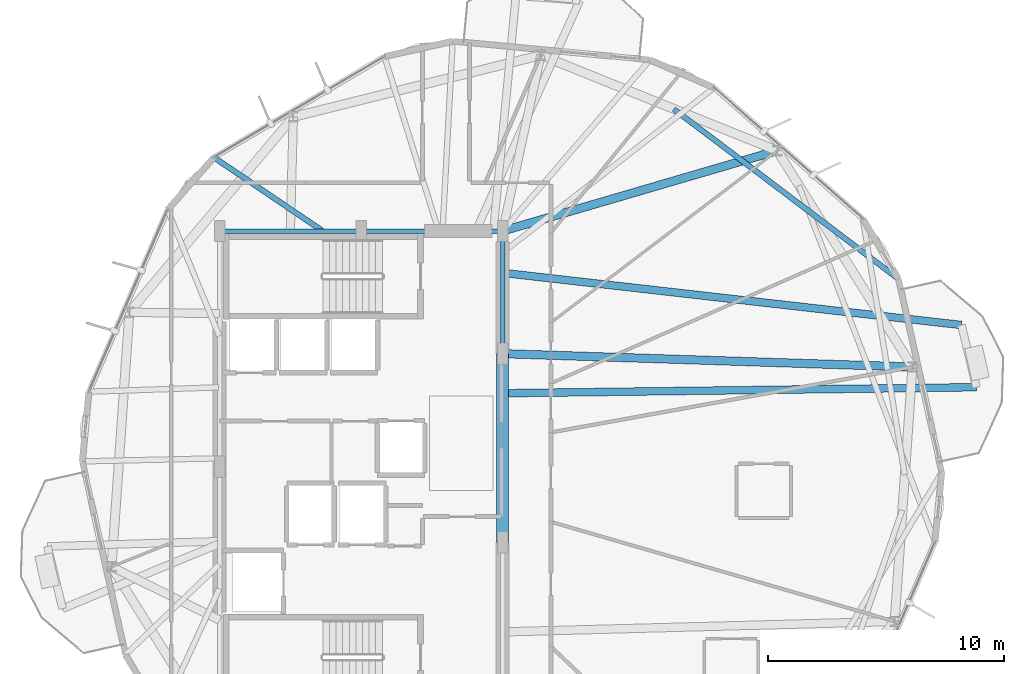
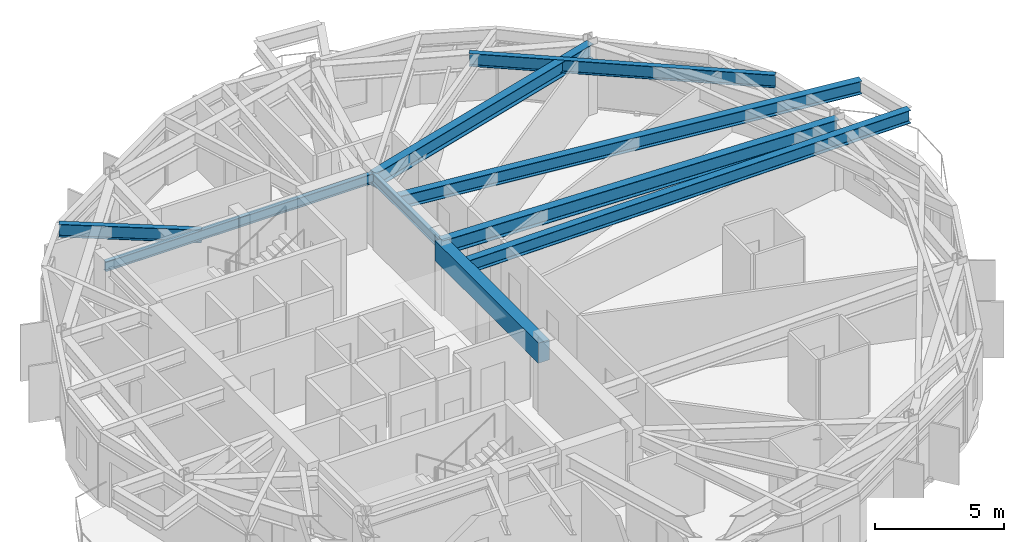
# One storey, part 7 of 21: 10 beams.
"""IFC4 building model written with IfcOpenShell, lengths in metres."""

from ifc_helpers import new_model, si_unit, direction, frame, origin, origin_2d, place, context, subcontext, project, spatial, rectangle, i_section, extrude, material, material_profile, profile_set, type_object, element, save


model = new_model("IFC4")

# Units and contexts
model_context = context("Model", 3, precision=1e-05, world=origin(), true_north=direction((0.0, 1.0)))
body_context = subcontext(model_context, "Body", "Model", "MODEL_VIEW")
ifc_project = project(units=[si_unit("LENGTHUNIT", "METRE"), si_unit("AREAUNIT", "SQUARE_METRE"), si_unit("VOLUMEUNIT", "CUBIC_METRE"), si_unit("PLANEANGLEUNIT", "RADIAN"), si_unit("MASSUNIT", "GRAM", prefix="KILO")], contexts=[model_context])

# Site, building, storey
site_placement = place(None, origin())
site = spatial("IfcSite", under=ifc_project, at=site_placement, CompositionType="ELEMENT")
building_placement = place(site_placement, origin())
building = spatial("IfcBuilding", under=site, at=building_placement, Name="Soratama Intermodal Tower", CompositionType="ELEMENT")
storey_placement = place(building_placement, frame((0.0, 0.0, 146.199951171875)))
storey = spatial("IfcBuildingStorey", under=building, at=storey_placement, Name="L35", CompositionType="ELEMENT", Elevation=146.199951171875)

# Beams
ifc_material_1 = material(Name="Structural steel ASTM A992 Grade 50", Category="steel")
ifc_material_profile_1 = material_profile(ifc_material_1, i_section(OverallWidth=0.324951171875, OverallDepth=0.615966796875, WebThickness=0.013916015625, FlangeThickness=0.021484375, FilletRadius=0.013916015625, at=origin_2d()), Name="W24X117")
ifc_profile_set_1 = profile_set([ifc_material_profile_1], Name="Structural steel ASTM A992 Grade 50")
beam_type_1 = type_object("IfcBeamType", Name="BM-CANT-W24X117", PredefinedType="BEAM", material=ifc_profile_set_1)
beam_1_placement = place(storey_placement, frame((44.8349609375, 28.1240234375, 2.991943359375), z_axis=(0.999919553252, 0.012684124872, 0.0), x_axis=(-0.012684124872, 0.999919553252, 0.0)))
element("IfcBeam", 1, at=beam_1_placement, inside=storey, type_object=beam_type_1, Name="BM-L35-CANT-1-1", PredefinedType="BEAM", context=body_context, shape_type="SweptSolid", body=[
    extrude(i_section(OverallWidth=0.324951171875, OverallDepth=0.615966796875, WebThickness=0.013916015625, FlangeThickness=0.021484375, FilletRadius=0.013916015625, at=origin_2d()), origin(), (0.0, 0.0, 1.0), 19.86376953125),
])
beam_2_placement = place(storey_placement, frame((44.639892578125, 33.221923828125, 2.991943359375), z_axis=(0.993597257504, -0.112980041954, 0.0), x_axis=(0.112980041954, 0.993597257504, 0.0)))
element("IfcBeam", 2, at=beam_2_placement, inside=storey, type_object=beam_type_1, Name="BM-L35-CANT-1-2", PredefinedType="BEAM", context=body_context, shape_type="SweptSolid", body=[
    extrude(i_section(OverallWidth=0.324951171875, OverallDepth=0.615966796875, WebThickness=0.013916015625, FlangeThickness=0.021484375, FilletRadius=0.013916015625, at=origin_2d()), origin(), (0.0, 0.0, 1.0), 19.54345703125),
])
ifc_material_2 = material(Name="Concrete f'c 56 MPa", Category="concrete")
ifc_material_profile_2 = material_profile(ifc_material_2, rectangle(XDim=0.5, YDim=0.949951171875, at=origin_2d()), Name="RC500X950")
ifc_profile_set_2 = profile_set([ifc_material_profile_2], Name="Concrete f'c 56 MPa")
beam_type_2 = type_object("IfcBeamType", Name="BM-CPL-RC500X950", PredefinedType="BEAM", material=ifc_profile_set_2)
beam_3_placement = place(storey_placement, frame((44.60009765625, 21.800048828125, 2.824951171875), z_axis=(0.0, 1.0, 0.0), x_axis=(-1.0, 0.0, 0.0)))
element("IfcBeam", 3, at=beam_3_placement, inside=storey, type_object=beam_type_2, Name="L35 Core Coupling Beam East", PredefinedType="BEAM", context=body_context, shape_type="SweptSolid", body=[
    extrude(rectangle(XDim=0.5, YDim=0.949951171875, at=origin_2d()), origin(), (0.0, 0.0, 1.0), 8.0),
])
ifc_material_3 = material(Name="Structural steel ASTM A992 Grade 50", Category="steel")
ifc_material_profile_3 = material_profile(ifc_material_3, i_section(OverallWidth=0.19091796875, OverallDepth=0.4599609375, WebThickness=0.010009765625, FlangeThickness=0.01611328125, FilletRadius=0.010986328125, at=origin_2d()), Name="W18X55")
ifc_profile_set_3 = profile_set([ifc_material_profile_3], Name="Structural steel ASTM A992 Grade 50")
beam_type_3 = type_object("IfcBeamType", Name="BM-FLR-W18X55", PredefinedType="BEAM", material=ifc_profile_set_3)
beam_4_placement = place(storey_placement, frame((44.60009765625, 29.800048828125, 3.070068359375), z_axis=(0.0, 1.0, 0.0), x_axis=(-1.0, 0.0, 0.0)))
element("IfcBeam", 4, at=beam_4_placement, inside=storey, type_object=beam_type_3, Name="BM-L35-CRING-05", PredefinedType="BEAM", context=body_context, shape_type="SweptSolid", body=[
    extrude(i_section(OverallWidth=0.19091796875, OverallDepth=0.4599609375, WebThickness=0.010009765625, FlangeThickness=0.01611328125, FilletRadius=0.010986328125, at=origin_2d()), origin(), (0.0, 0.0, 1.0), 5.199951171875),
])
for number, where, z_axis, x_axis, name in (
    (5, (44.60009765625, 35.0, 3.070068359375), (-1.0, 0.0, 0.0), (0.0, -1.0, 0.0), "BM-L35-CRING-06"),
    (6, (38.60009765625, 35.0, 3.070068359375), (-1.0, 0.0, 0.0), (0.0, -1.0, 0.0), "BM-L35-CRING-07"),
):
    element("IfcBeam", number, at=place(storey_placement, frame(where, z_axis=z_axis, x_axis=x_axis)), inside=storey, type_object=beam_type_3, Name=name, PredefinedType="BEAM", context=body_context, shape_type="SweptSolid", body=[
        extrude(i_section(OverallWidth=0.19091796875, OverallDepth=0.4599609375, WebThickness=0.010009765625, FlangeThickness=0.01611328125, FilletRadius=0.010986328125, at=origin_2d()), origin(), (0.0, 0.0, 1.0), 6.0),
    ])
ifc_material_4 = material(Name="Structural steel ASTM A992 Grade 50", Category="steel")
ifc_material_profile_4 = material_profile(ifc_material_4, i_section(OverallWidth=0.35498046875, OverallDepth=0.695068359375, WebThickness=0.015380859375, FlangeThickness=0.02490234375, FilletRadius=0.01611328125, at=origin_2d()), Name="W27X146")
ifc_profile_set_4 = profile_set([ifc_material_profile_4], Name="Structural steel ASTM A992 Grade 50")
beam_type_4 = type_object("IfcBeamType", Name="BM-RING-W27X146", PredefinedType="BEAM", material=ifc_profile_set_4)
beam_5_placement = place(storey_placement, frame((44.60009765625, 29.800048828125, 2.95263671875), z_axis=(0.999469833309, -0.032558444449, 0.0), x_axis=(0.032558444449, 0.999469833309, 0.0)))
element("IfcBeam", 7, at=beam_5_placement, inside=storey, type_object=beam_type_4, Name="BM-L35-RAD-01", PredefinedType="BEAM", context=body_context, shape_type="SweptSolid", body=[
    extrude(i_section(OverallWidth=0.35498046875, OverallDepth=0.695068359375, WebThickness=0.015380859375, FlangeThickness=0.02490234375, FilletRadius=0.01611328125, at=origin_2d()), origin(), (0.0, 0.0, 1.0), 17.38916015625),
])
beam_6_placement = place(storey_placement, frame((44.60009765625, 35.0, 2.95263671875), z_axis=(0.959813691047, 0.280637984738, 0.0), x_axis=(-0.280637984738, 0.959813691047, 0.0)))
element("IfcBeam", 8, at=beam_6_placement, inside=storey, type_object=beam_type_4, Name="BM-L35-RAD-02", PredefinedType="BEAM", context=body_context, shape_type="SweptSolid", body=[
    extrude(i_section(OverallWidth=0.35498046875, OverallDepth=0.695068359375, WebThickness=0.015380859375, FlangeThickness=0.02490234375, FilletRadius=0.01611328125, at=origin_2d()), origin(), (0.0, 0.0, 1.0), 12.13671875),
])
ifc_material_5 = material(Name="Structural steel ASTM A992 Grade 50", Category="steel")
ifc_material_profile_5 = material_profile(ifc_material_5, i_section(OverallWidth=0.22900390625, OverallDepth=0.612060546875, WebThickness=0.011962890625, FlangeThickness=0.01953125, FilletRadius=0.012939453125, at=origin_2d()), Name="W24X84")
ifc_profile_set_5 = profile_set([ifc_material_profile_5], Name="Structural steel ASTM A992 Grade 50")
beam_type_5 = type_object("IfcBeamType", Name="BM-TIE-W24X84", PredefinedType="BEAM", material=ifc_profile_set_5)
beam_7_placement = place(storey_placement, frame((36.943115234375, 35.02197265625, 2.994140625), z_axis=(-0.828342971536, 0.560221314756, 0.0), x_axis=(-0.560221314756, -0.828342971536, 0.0)))
element("IfcBeam", 9, at=beam_7_placement, inside=storey, type_object=beam_type_5, Name="BM-L35-TIE1-03", PredefinedType="BEAM", context=body_context, shape_type="SweptSolid", body=[
    extrude(i_section(OverallWidth=0.22900390625, OverallDepth=0.612060546875, WebThickness=0.011962890625, FlangeThickness=0.01953125, FilletRadius=0.012939453125, at=origin_2d()), origin(), (0.0, 0.0, 1.0), 5.538818359375),
])
beam_8_placement = place(storey_placement, frame((51.864013671875, 40.166015625, 2.994140625), z_axis=(0.797919124281, -0.602764523763, 0.0), x_axis=(0.602764523763, 0.797919124281, 0.0)))
element("IfcBeam", 10, at=beam_8_placement, inside=storey, type_object=beam_type_5, Name="BM-L35-TIE1-10", PredefinedType="BEAM", context=body_context, shape_type="SweptSolid", body=[
    extrude(i_section(OverallWidth=0.22900390625, OverallDepth=0.612060546875, WebThickness=0.011962890625, FlangeThickness=0.01953125, FilletRadius=0.012939453125, at=origin_2d()), origin(), (0.0, 0.0, 1.0), 11.9384765625),
])

save(model, "model.ifc")
